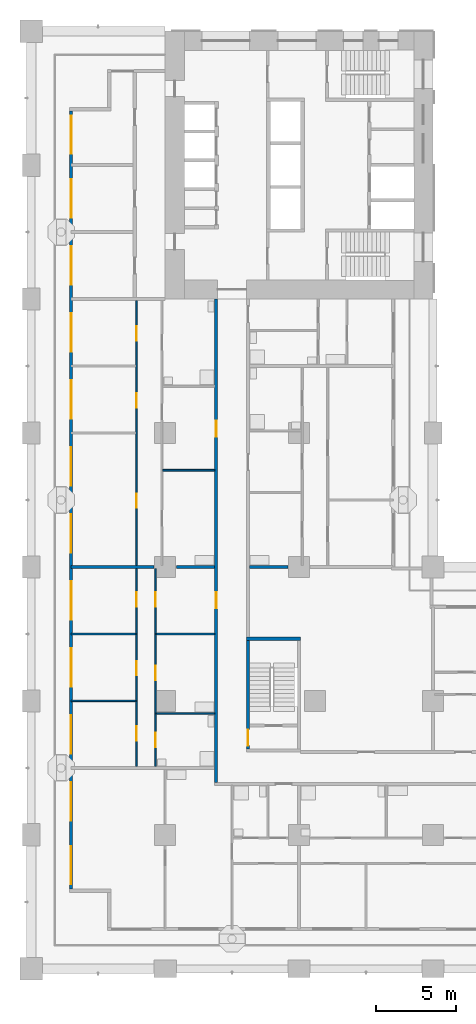
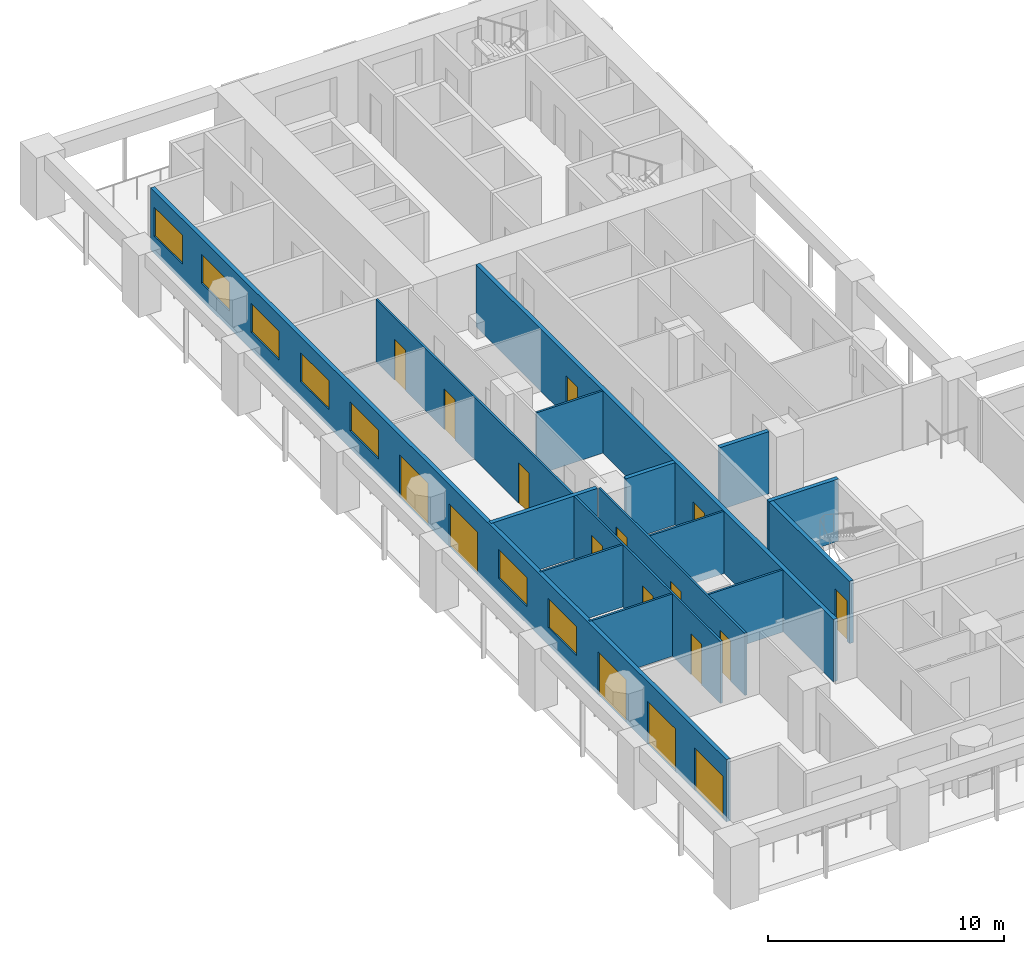
# One storey, part 3 of 20: 17 doors, 14 walls, 7 windows, 24 openings.
"""IFC4 building model written with IfcOpenShell, lengths in metres."""

from ifc_helpers import new_model, si_unit, direction, frame, frame_2d, origin, place, context, subcontext, project, spatial, rectangle, extrude, material, layer, layer_set, type_object, element, fill, save


model = new_model("IFC4")

# Units and contexts
model_context = context("Model", 3, precision=1e-05, world=origin(), true_north=direction((0.0, 1.0)))
body_context = subcontext(model_context, "Body", "Model", "MODEL_VIEW")
ifc_project = project(units=[si_unit("LENGTHUNIT", "METRE"), si_unit("AREAUNIT", "SQUARE_METRE"), si_unit("VOLUMEUNIT", "CUBIC_METRE"), si_unit("PLANEANGLEUNIT", "RADIAN"), si_unit("MASSUNIT", "GRAM", prefix="KILO")], contexts=[model_context])

# Site, building, storey
site_placement = place(None, origin())
site = spatial("IfcSite", under=ifc_project, at=site_placement, CompositionType="ELEMENT")
building_placement = place(site_placement, origin())
building = spatial("IfcBuilding", under=site, at=building_placement, Name="Vermilion Gate Residences", CompositionType="ELEMENT")
storey_placement = place(building_placement, frame((0.0, 0.0, 42.699951171875)))
storey = spatial("IfcBuildingStorey", under=building, at=storey_placement, Name="L09", CompositionType="ELEMENT", Elevation=42.699951171875)

# Wall, openings, doors, windows
ifc_material_1 = material(Name="Insulated steel stud wall with terracotta rainscreen", Category="masonry")
ifc_layer_1 = layer(ifc_material_1, 0.199951171875)
ifc_layer_set_1 = layer_set([ifc_layer_1], Name="EXTERNAL WALL 200 TERRACOTTA RAINSCREEN")
wall_type_1 = type_object("IfcWallType", Name="EXTERNAL WALL 200 TERRACOTTA RAINSCREEN", PredefinedType="SOLIDWALL", material=ifc_layer_set_1)
wall_1_placement = place(storey_placement, frame((2.5, 53.800048828125, 0.0), z_axis=(0.0, 0.0, 1.0), x_axis=(0.0, -1.0, 0.0)))
wall_1 = element("IfcWall", 1, at=wall_1_placement, inside=storey, type_object=wall_type_1, Name="External wall", PredefinedType="SOLIDWALL", context=body_context, shape_type="SweptSolid", body=[
    extrude(rectangle(XDim=48.800048828125, YDim=0.199951171875, at=frame_2d((24.39990234375, 0.0))), origin(), (0.0, 0.0, 1.0), 3.219970703125),
])
opening_1_placement = place(wall_1_placement, frame((46.10009765625, 0.0, 0.0)))
opening_1 = element("IfcOpeningElement", 2, at=opening_1_placement, cuts=wall_1, Name="Opening DE09002", PredefinedType="OPENING", context=body_context, shape_type="SweptSolid", body=[
    extrude(rectangle(XDim=2.39990234375, YDim=2.199951171875, at=frame_2d((1.199951171875, 1.10009765625))), frame((0.0, 0.10986328125, 0.0), z_axis=(0.0, -1.0, 0.0), x_axis=(1.0, 0.0, 0.0)), (0.0, 0.0, 1.0), 0.219970703125),
])
opening_2_placement = place(wall_1_placement, frame((42.10009765625, 0.0, 0.0)))
opening_2 = element("IfcOpeningElement", 3, at=opening_2_placement, cuts=wall_1, Name="Opening DE09003", PredefinedType="OPENING", context=body_context, shape_type="SweptSolid", body=[
    extrude(rectangle(XDim=2.39990234375, YDim=2.199951171875, at=frame_2d((1.199951171875, 1.10009765625))), frame((0.0, 0.10986328125, 0.0), z_axis=(0.0, -1.0, 0.0), x_axis=(1.0, 0.0, 0.0)), (0.0, 0.0, 1.0), 0.219970703125),
])
opening_3_placement = place(wall_1_placement, frame((37.89990234375, 0.0, 0.0)))
opening_3 = element("IfcOpeningElement", 4, at=opening_3_placement, cuts=wall_1, Name="Opening DE09004", PredefinedType="OPENING", context=body_context, shape_type="SweptSolid", body=[
    extrude(rectangle(XDim=2.39990234375, YDim=2.199951171875, at=frame_2d((1.199951171875, 1.10009765625))), frame((0.0, 0.10986328125, 0.0), z_axis=(0.0, -1.0, 0.0), x_axis=(1.0, 0.0, 0.0)), (0.0, 0.0, 1.0), 0.219970703125),
])
opening_4_placement = place(wall_1_placement, frame((33.699951171875, 0.0, 0.89990234375)))
opening_4 = element("IfcOpeningElement", 5, at=opening_4_placement, cuts=wall_1, Name="Opening WE09005", PredefinedType="OPENING", context=body_context, shape_type="SweptSolid", body=[
    extrude(rectangle(XDim=2.39990234375, YDim=1.5, at=frame_2d((1.199951171875, 0.75))), frame((0.0, 0.10986328125, 0.0), z_axis=(0.0, -1.0, 0.0), x_axis=(1.0, 0.0, 0.0)), (0.0, 0.0, 1.0), 0.219970703125),
])
opening_5_placement = place(wall_1_placement, frame((29.5, 0.0, 0.89990234375)))
opening_5 = element("IfcOpeningElement", 6, at=opening_5_placement, cuts=wall_1, Name="Opening WE09006", PredefinedType="OPENING", context=body_context, shape_type="SweptSolid", body=[
    extrude(rectangle(XDim=2.39990234375, YDim=1.5, at=frame_2d((1.199951171875, 0.75))), frame((0.0, 0.10986328125, 0.0), z_axis=(0.0, -1.0, 0.0), x_axis=(1.0, 0.0, 0.0)), (0.0, 0.0, 1.0), 0.219970703125),
])
opening_6_placement = place(wall_1_placement, frame((25.300048828125, 0.0, 0.0)))
opening_6 = element("IfcOpeningElement", 7, at=opening_6_placement, cuts=wall_1, Name="Opening DE09007", PredefinedType="OPENING", context=body_context, shape_type="SweptSolid", body=[
    extrude(rectangle(XDim=2.39990234375, YDim=2.199951171875, at=frame_2d((1.199951171875, 1.10009765625))), frame((0.0, 0.10986328125, 0.0), z_axis=(0.0, -1.0, 0.0), x_axis=(1.0, 0.0, 0.0)), (0.0, 0.0, 1.0), 0.219970703125),
])
opening_7_placement = place(wall_1_placement, frame((21.10009765625, 0.0, 0.0)))
opening_7 = element("IfcOpeningElement", 8, at=opening_7_placement, cuts=wall_1, Name="Opening DE09008", PredefinedType="OPENING", context=body_context, shape_type="SweptSolid", body=[
    extrude(rectangle(XDim=2.39990234375, YDim=2.199951171875, at=frame_2d((1.199951171875, 1.10009765625))), frame((0.0, 0.10986328125, 0.0), z_axis=(0.0, -1.0, 0.0), x_axis=(1.0, 0.0, 0.0)), (0.0, 0.0, 1.0), 0.219970703125),
])
opening_8_placement = place(wall_1_placement, frame((16.89990234375, 0.0, 0.89990234375)))
opening_8 = element("IfcOpeningElement", 9, at=opening_8_placement, cuts=wall_1, Name="Opening WE09009", PredefinedType="OPENING", context=body_context, shape_type="SweptSolid", body=[
    extrude(rectangle(XDim=2.39990234375, YDim=1.5, at=frame_2d((1.199951171875, 0.75))), frame((0.0, 0.10986328125, 0.0), z_axis=(0.0, -1.0, 0.0), x_axis=(1.0, 0.0, 0.0)), (0.0, 0.0, 1.0), 0.219970703125),
])
opening_9_placement = place(wall_1_placement, frame((12.699951171875, 0.0, 0.89990234375)))
opening_9 = element("IfcOpeningElement", 10, at=opening_9_placement, cuts=wall_1, Name="Opening WE09010", PredefinedType="OPENING", context=body_context, shape_type="SweptSolid", body=[
    extrude(rectangle(XDim=2.39990234375, YDim=1.5, at=frame_2d((1.199951171875, 0.75))), frame((0.0, 0.10986328125, 0.0), z_axis=(0.0, -1.0, 0.0), x_axis=(1.0, 0.0, 0.0)), (0.0, 0.0, 1.0), 0.219970703125),
])
opening_10_placement = place(wall_1_placement, frame((8.5, 0.0, 0.89990234375)))
opening_10 = element("IfcOpeningElement", 11, at=opening_10_placement, cuts=wall_1, Name="Opening WE09011", PredefinedType="OPENING", context=body_context, shape_type="SweptSolid", body=[
    extrude(rectangle(XDim=2.39990234375, YDim=1.5, at=frame_2d((1.199951171875, 0.75))), frame((0.0, 0.10986328125, 0.0), z_axis=(0.0, -1.0, 0.0), x_axis=(1.0, 0.0, 0.0)), (0.0, 0.0, 1.0), 0.219970703125),
])
opening_11_placement = place(wall_1_placement, frame((4.300048828125, 0.0, 0.89990234375)))
opening_11 = element("IfcOpeningElement", 12, at=opening_11_placement, cuts=wall_1, Name="Opening WE09012", PredefinedType="OPENING", context=body_context, shape_type="SweptSolid", body=[
    extrude(rectangle(XDim=2.39990234375, YDim=1.5, at=frame_2d((1.199951171875, 0.75))), frame((0.0, 0.10986328125, 0.0), z_axis=(0.0, -1.0, 0.0), x_axis=(1.0, 0.0, 0.0)), (0.0, 0.0, 1.0), 0.219970703125),
])
opening_12_placement = place(wall_1_placement, frame((0.300048828125, 0.0, 0.89990234375)))
opening_12 = element("IfcOpeningElement", 13, at=opening_12_placement, cuts=wall_1, Name="Opening WE09013", PredefinedType="OPENING", context=body_context, shape_type="SweptSolid", body=[
    extrude(rectangle(XDim=2.39990234375, YDim=1.5, at=frame_2d((1.199951171875, 0.75))), frame((0.0, 0.10986328125, 0.0), z_axis=(0.0, -1.0, 0.0), x_axis=(1.0, 0.0, 0.0)), (0.0, 0.0, 1.0), 0.219970703125),
])
ifc_material_2 = material(Name="Aluminium and clear glass", Category="aluminium")
door_type_1 = type_object("IfcDoorType", Name="SLIDING GLAZED DOOR 2400 X 2200", OperationType="DOUBLE_DOOR_SLIDING", PredefinedType="DOOR", material=ifc_material_2)
door_1_placement = place(opening_1_placement, origin())
door_1 = element("IfcDoor", 14, at=door_1_placement, inside=storey, type_object=door_type_1, Name="Loggia sliding door", OperationType="DOUBLE_DOOR_SLIDING", OverallHeight=2.199951171875, OverallWidth=2.39990234375, PredefinedType="DOOR", context=body_context, shape_type="SweptSolid", body=[
    extrude(rectangle(XDim=2.39990234375, YDim=2.199951171875, at=frame_2d((1.199951171875, 1.10009765625))), frame((0.0, 0.02490234375, 0.0), z_axis=(0.0, -1.0, 0.0), x_axis=(1.0, 0.0, 0.0)), (0.0, 0.0, 1.0), 0.050048828125),
])
fill(opening_1, door_1)
door_2_placement = place(opening_2_placement, origin())
door_2 = element("IfcDoor", 15, at=door_2_placement, inside=storey, type_object=door_type_1, Name="Loggia sliding door", OperationType="DOUBLE_DOOR_SLIDING", OverallHeight=2.199951171875, OverallWidth=2.39990234375, PredefinedType="DOOR", context=body_context, shape_type="SweptSolid", body=[
    extrude(rectangle(XDim=2.39990234375, YDim=2.199951171875, at=frame_2d((1.199951171875, 1.10009765625))), frame((0.0, 0.02490234375, 0.0), z_axis=(0.0, -1.0, 0.0), x_axis=(1.0, 0.0, 0.0)), (0.0, 0.0, 1.0), 0.050048828125),
])
fill(opening_2, door_2)
door_3_placement = place(opening_3_placement, origin())
door_3 = element("IfcDoor", 16, at=door_3_placement, inside=storey, type_object=door_type_1, Name="Loggia sliding door", OperationType="DOUBLE_DOOR_SLIDING", OverallHeight=2.199951171875, OverallWidth=2.39990234375, PredefinedType="DOOR", context=body_context, shape_type="SweptSolid", body=[
    extrude(rectangle(XDim=2.39990234375, YDim=2.199951171875, at=frame_2d((1.199951171875, 1.10009765625))), frame((0.0, 0.02490234375, 0.0), z_axis=(0.0, -1.0, 0.0), x_axis=(1.0, 0.0, 0.0)), (0.0, 0.0, 1.0), 0.050048828125),
])
fill(opening_3, door_3)
door_4_placement = place(opening_6_placement, origin())
door_4 = element("IfcDoor", 17, at=door_4_placement, inside=storey, type_object=door_type_1, Name="Loggia sliding door", OperationType="DOUBLE_DOOR_SLIDING", OverallHeight=2.199951171875, OverallWidth=2.39990234375, PredefinedType="DOOR", context=body_context, shape_type="SweptSolid", body=[
    extrude(rectangle(XDim=2.39990234375, YDim=2.199951171875, at=frame_2d((1.199951171875, 1.10009765625))), frame((0.0, 0.02490234375, 0.0), z_axis=(0.0, -1.0, 0.0), x_axis=(1.0, 0.0, 0.0)), (0.0, 0.0, 1.0), 0.050048828125),
])
fill(opening_6, door_4)
door_5_placement = place(opening_7_placement, origin())
door_5 = element("IfcDoor", 18, at=door_5_placement, inside=storey, type_object=door_type_1, Name="Loggia sliding door", OperationType="DOUBLE_DOOR_SLIDING", OverallHeight=2.199951171875, OverallWidth=2.39990234375, PredefinedType="DOOR", context=body_context, shape_type="SweptSolid", body=[
    extrude(rectangle(XDim=2.39990234375, YDim=2.199951171875, at=frame_2d((1.199951171875, 1.10009765625))), frame((0.0, 0.02490234375, 0.0), z_axis=(0.0, -1.0, 0.0), x_axis=(1.0, 0.0, 0.0)), (0.0, 0.0, 1.0), 0.050048828125),
])
fill(opening_7, door_5)
ifc_material_3 = material(Name="Aluminium and clear glass", Category="aluminium")
window_type = type_object("IfcWindowType", Name="WINDOW 2400 X 1500", PartitioningType="SINGLE_PANEL", PredefinedType="WINDOW", material=ifc_material_3)
window_1_placement = place(opening_4_placement, origin())
window_1 = element("IfcWindow", 19, at=window_1_placement, inside=storey, type_object=window_type, Name="Window", OverallHeight=1.5, OverallWidth=2.39990234375, PartitioningType="SINGLE_PANEL", PredefinedType="WINDOW", context=body_context, shape_type="SweptSolid", body=[
    extrude(rectangle(XDim=2.39990234375, YDim=1.5, at=frame_2d((1.199951171875, 0.75))), frame((0.0, 0.030029296875, 0.0), z_axis=(0.0, -1.0, 0.0), x_axis=(1.0, 0.0, 0.0)), (0.0, 0.0, 1.0), 0.06005859375),
])
fill(opening_4, window_1)
window_2_placement = place(opening_5_placement, origin())
window_2 = element("IfcWindow", 20, at=window_2_placement, inside=storey, type_object=window_type, Name="Window", OverallHeight=1.5, OverallWidth=2.39990234375, PartitioningType="SINGLE_PANEL", PredefinedType="WINDOW", context=body_context, shape_type="SweptSolid", body=[
    extrude(rectangle(XDim=2.39990234375, YDim=1.5, at=frame_2d((1.199951171875, 0.75))), frame((0.0, 0.030029296875, 0.0), z_axis=(0.0, -1.0, 0.0), x_axis=(1.0, 0.0, 0.0)), (0.0, 0.0, 1.0), 0.06005859375),
])
fill(opening_5, window_2)
window_3_placement = place(opening_8_placement, origin())
window_3 = element("IfcWindow", 21, at=window_3_placement, inside=storey, type_object=window_type, Name="Window", OverallHeight=1.5, OverallWidth=2.39990234375, PartitioningType="SINGLE_PANEL", PredefinedType="WINDOW", context=body_context, shape_type="SweptSolid", body=[
    extrude(rectangle(XDim=2.39990234375, YDim=1.5, at=frame_2d((1.199951171875, 0.75))), frame((0.0, 0.030029296875, 0.0), z_axis=(0.0, -1.0, 0.0), x_axis=(1.0, 0.0, 0.0)), (0.0, 0.0, 1.0), 0.06005859375),
])
fill(opening_8, window_3)
window_4_placement = place(opening_9_placement, origin())
window_4 = element("IfcWindow", 22, at=window_4_placement, inside=storey, type_object=window_type, Name="Window", OverallHeight=1.5, OverallWidth=2.39990234375, PartitioningType="SINGLE_PANEL", PredefinedType="WINDOW", context=body_context, shape_type="SweptSolid", body=[
    extrude(rectangle(XDim=2.39990234375, YDim=1.5, at=frame_2d((1.199951171875, 0.75))), frame((0.0, 0.030029296875, 0.0), z_axis=(0.0, -1.0, 0.0), x_axis=(1.0, 0.0, 0.0)), (0.0, 0.0, 1.0), 0.06005859375),
])
fill(opening_9, window_4)
window_5_placement = place(opening_10_placement, origin())
window_5 = element("IfcWindow", 23, at=window_5_placement, inside=storey, type_object=window_type, Name="Window", OverallHeight=1.5, OverallWidth=2.39990234375, PartitioningType="SINGLE_PANEL", PredefinedType="WINDOW", context=body_context, shape_type="SweptSolid", body=[
    extrude(rectangle(XDim=2.39990234375, YDim=1.5, at=frame_2d((1.199951171875, 0.75))), frame((0.0, 0.030029296875, 0.0), z_axis=(0.0, -1.0, 0.0), x_axis=(1.0, 0.0, 0.0)), (0.0, 0.0, 1.0), 0.06005859375),
])
fill(opening_10, window_5)
window_6_placement = place(opening_11_placement, origin())
window_6 = element("IfcWindow", 24, at=window_6_placement, inside=storey, type_object=window_type, Name="Window", OverallHeight=1.5, OverallWidth=2.39990234375, PartitioningType="SINGLE_PANEL", PredefinedType="WINDOW", context=body_context, shape_type="SweptSolid", body=[
    extrude(rectangle(XDim=2.39990234375, YDim=1.5, at=frame_2d((1.199951171875, 0.75))), frame((0.0, 0.030029296875, 0.0), z_axis=(0.0, -1.0, 0.0), x_axis=(1.0, 0.0, 0.0)), (0.0, 0.0, 1.0), 0.06005859375),
])
fill(opening_11, window_6)
window_7_placement = place(opening_12_placement, origin())
window_7 = element("IfcWindow", 25, at=window_7_placement, inside=storey, type_object=window_type, Name="Window", OverallHeight=1.5, OverallWidth=2.39990234375, PartitioningType="SINGLE_PANEL", PredefinedType="WINDOW", context=body_context, shape_type="SweptSolid", body=[
    extrude(rectangle(XDim=2.39990234375, YDim=1.5, at=frame_2d((1.199951171875, 0.75))), frame((0.0, 0.030029296875, 0.0), z_axis=(0.0, -1.0, 0.0), x_axis=(1.0, 0.0, 0.0)), (0.0, 0.0, 1.0), 0.06005859375),
])
fill(opening_12, window_7)

# Walls
ifc_material_4 = material(Name="Plasterboard on steel studs", Category="steel")
ifc_layer_2 = layer(ifc_material_4, 0.10009765625)
ifc_layer_set_2 = layer_set([ifc_layer_2], Name="PARTITION 100")
wall_type_2 = type_object("IfcWallType", Name="PARTITION 100", PredefinedType="PARTITIONING", material=ifc_layer_set_2)
wall_2_placement = place(storey_placement, frame((7.85009765625, 16.0, 0.0), z_axis=(0.0, 0.0, 1.0), x_axis=(1.0, 0.0, 0.0)))
element("IfcWall", 26, at=wall_2_placement, inside=storey, type_object=wall_type_2, Name="Partition", PredefinedType="PARTITIONING", context=body_context, shape_type="SweptSolid", body=[
    extrude(rectangle(XDim=3.64990234375, YDim=0.10009765625, at=frame_2d((1.824951171875, 0.0))), origin(), (0.0, 0.0, 1.0), 3.219970703125),
])
for number, where, z_axis, x_axis, name in (
    (27, (2.5, 16.800048828125, 0.0), (0.0, 0.0, 1.0), (1.0, 0.0, 0.0), "Partition"),
    (28, (2.5, 21.0, 0.0), (0.0, 0.0, 1.0), (1.0, 0.0, 0.0), "Partition"),
):
    element("IfcWall", number, at=place(storey_placement, frame(where, z_axis=z_axis, x_axis=x_axis)), inside=storey, type_object=wall_type_2, Name=name, PredefinedType="PARTITIONING", context=body_context, shape_type="SweptSolid", body=[
        extrude(rectangle(XDim=4.050048828125, YDim=0.10009765625, at=frame_2d((2.02490234375, 0.0))), origin(), (0.0, 0.0, 1.0), 3.219970703125),
    ])
wall_3_placement = place(storey_placement, frame((7.85009765625, 21.0, 0.0), z_axis=(0.0, 0.0, 1.0), x_axis=(1.0, 0.0, 0.0)))
element("IfcWall", 29, at=wall_3_placement, inside=storey, type_object=wall_type_2, Name="Partition", PredefinedType="PARTITIONING", context=body_context, shape_type="SweptSolid", body=[
    extrude(rectangle(XDim=3.64990234375, YDim=0.10009765625, at=frame_2d((1.824951171875, 0.0))), origin(), (0.0, 0.0, 1.0), 3.219970703125),
])
wall_4_placement = place(storey_placement, frame((8.25, 31.26708984375, 0.0), z_axis=(0.0, 0.0, 1.0), x_axis=(1.0, 0.0, 0.0)))
element("IfcWall", 30, at=wall_4_placement, inside=storey, type_object=wall_type_2, Name="Partition", PredefinedType="PARTITIONING", context=body_context, shape_type="SweptSolid", body=[
    extrude(rectangle(XDim=3.25, YDim=0.10009765625, at=frame_2d((1.625, 0.0))), origin(), (0.0, 0.0, 1.0), 3.219970703125),
])

# Wall, openings, doors
wall_5_placement = place(storey_placement, frame((6.60009765625, 12.699951171875, 0.0), z_axis=(0.0, 0.0, 1.0), x_axis=(0.0, 1.0, 0.0)))
wall_5 = element("IfcWall", 31, at=wall_5_placement, inside=storey, type_object=wall_type_2, Name="Partition", PredefinedType="PARTITIONING", context=body_context, shape_type="SweptSolid", body=[
    extrude(rectangle(XDim=29.199951171875, YDim=0.10009765625, at=frame_2d((14.60009765625, 0.0))), origin(), (0.0, 0.0, 1.0), 3.219970703125),
])
opening_13_placement = place(wall_5_placement, frame((1.60009765625, 0.0, 0.0)))
opening_13 = element("IfcOpeningElement", 32, at=opening_13_placement, cuts=wall_5, Name="Opening DA07039", PredefinedType="OPENING", context=body_context, shape_type="SweptSolid", body=[
    extrude(rectangle(XDim=0.89990234375, YDim=2.10009765625, at=frame_2d((0.449951171875, 1.050048828125))), frame((0.0, 0.06005859375, 0.0), z_axis=(0.0, -1.0, 0.0), x_axis=(1.0, 0.0, 0.0)), (0.0, 0.0, 1.0), 0.1201171875),
])
opening_14_placement = place(wall_5_placement, frame((5.699951171875, 0.0, 0.0)))
opening_14 = element("IfcOpeningElement", 33, at=opening_14_placement, cuts=wall_5, Name="Opening DA07040", PredefinedType="OPENING", context=body_context, shape_type="SweptSolid", body=[
    extrude(rectangle(XDim=0.89990234375, YDim=2.10009765625, at=frame_2d((0.449951171875, 1.050048828125))), frame((0.0, 0.06005859375, 0.0), z_axis=(0.0, -1.0, 0.0), x_axis=(1.0, 0.0, 0.0)), (0.0, 0.0, 1.0), 0.1201171875),
])
opening_15_placement = place(wall_5_placement, frame((10.0, 0.0, 0.0)))
opening_15 = element("IfcOpeningElement", 34, at=opening_15_placement, cuts=wall_5, Name="Opening DA07041", PredefinedType="OPENING", context=body_context, shape_type="SweptSolid", body=[
    extrude(rectangle(XDim=0.89990234375, YDim=2.10009765625, at=frame_2d((0.449951171875, 1.050048828125))), frame((0.0, 0.06005859375, 0.0), z_axis=(0.0, -1.0, 0.0), x_axis=(1.0, 0.0, 0.0)), (0.0, 0.0, 1.0), 0.1201171875),
])
opening_16_placement = place(wall_5_placement, frame((16.199951171875, 0.0, 0.0)))
opening_16 = element("IfcOpeningElement", 35, at=opening_16_placement, cuts=wall_5, Name="Opening DA07042", PredefinedType="OPENING", context=body_context, shape_type="SweptSolid", body=[
    extrude(rectangle(XDim=0.89990234375, YDim=2.10009765625, at=frame_2d((0.449951171875, 1.050048828125))), frame((0.0, 0.06005859375, 0.0), z_axis=(0.0, -1.0, 0.0), x_axis=(1.0, 0.0, 0.0)), (0.0, 0.0, 1.0), 0.1201171875),
])
opening_17_placement = place(wall_5_placement, frame((22.5, 0.0, 0.0)))
opening_17 = element("IfcOpeningElement", 36, at=opening_17_placement, cuts=wall_5, Name="Opening DA07043", PredefinedType="OPENING", context=body_context, shape_type="SweptSolid", body=[
    extrude(rectangle(XDim=0.89990234375, YDim=2.10009765625, at=frame_2d((0.449951171875, 1.050048828125))), frame((0.0, 0.06005859375, 0.0), z_axis=(0.0, -1.0, 0.0), x_axis=(1.0, 0.0, 0.0)), (0.0, 0.0, 1.0), 0.1201171875),
])
opening_18_placement = place(wall_5_placement, frame((26.699951171875, 0.0, 0.0)))
opening_18 = element("IfcOpeningElement", 37, at=opening_18_placement, cuts=wall_5, Name="Opening DA07044", PredefinedType="OPENING", context=body_context, shape_type="SweptSolid", body=[
    extrude(rectangle(XDim=0.89990234375, YDim=2.10009765625, at=frame_2d((0.449951171875, 1.050048828125))), frame((0.0, 0.06005859375, 0.0), z_axis=(0.0, -1.0, 0.0), x_axis=(1.0, 0.0, 0.0)), (0.0, 0.0, 1.0), 0.1201171875),
])
ifc_material_5 = material(Name="Timber", Category="wood")
door_type_2 = type_object("IfcDoorType", Name="INTERIOR DOOR 900 X 2100", OperationType="SINGLE_SWING_LEFT", PredefinedType="DOOR", material=ifc_material_5)
door_6_placement = place(opening_13_placement, origin())
door_6 = element("IfcDoor", 38, at=door_6_placement, inside=storey, type_object=door_type_2, Name="Interior door", OperationType="SINGLE_SWING_RIGHT", OverallHeight=2.10009765625, OverallWidth=0.89990234375, PredefinedType="DOOR", context=body_context, shape_type="SweptSolid", body=[
    extrude(rectangle(XDim=0.89990234375, YDim=2.10009765625, at=frame_2d((0.449951171875, 1.050048828125))), frame((0.0, 0.02490234375, 0.0), z_axis=(0.0, -1.0, 0.0), x_axis=(1.0, 0.0, 0.0)), (0.0, 0.0, 1.0), 0.050048828125),
])
fill(opening_13, door_6)
door_7_placement = place(opening_14_placement, origin())
door_7 = element("IfcDoor", 39, at=door_7_placement, inside=storey, type_object=door_type_2, Name="Interior door", OperationType="SINGLE_SWING_LEFT", OverallHeight=2.10009765625, OverallWidth=0.89990234375, PredefinedType="DOOR", context=body_context, shape_type="SweptSolid", body=[
    extrude(rectangle(XDim=0.89990234375, YDim=2.10009765625, at=frame_2d((0.449951171875, 1.050048828125))), frame((0.0, 0.02490234375, 0.0), z_axis=(0.0, -1.0, 0.0), x_axis=(1.0, 0.0, 0.0)), (0.0, 0.0, 1.0), 0.050048828125),
])
fill(opening_14, door_7)
door_8_placement = place(opening_15_placement, origin())
door_8 = element("IfcDoor", 40, at=door_8_placement, inside=storey, type_object=door_type_2, Name="Interior door", OperationType="SINGLE_SWING_RIGHT", OverallHeight=2.10009765625, OverallWidth=0.89990234375, PredefinedType="DOOR", context=body_context, shape_type="SweptSolid", body=[
    extrude(rectangle(XDim=0.89990234375, YDim=2.10009765625, at=frame_2d((0.449951171875, 1.050048828125))), frame((0.0, 0.02490234375, 0.0), z_axis=(0.0, -1.0, 0.0), x_axis=(1.0, 0.0, 0.0)), (0.0, 0.0, 1.0), 0.050048828125),
])
fill(opening_15, door_8)
door_9_placement = place(opening_16_placement, origin())
door_9 = element("IfcDoor", 41, at=door_9_placement, inside=storey, type_object=door_type_2, Name="Interior door", OperationType="SINGLE_SWING_LEFT", OverallHeight=2.10009765625, OverallWidth=0.89990234375, PredefinedType="DOOR", context=body_context, shape_type="SweptSolid", body=[
    extrude(rectangle(XDim=0.89990234375, YDim=2.10009765625, at=frame_2d((0.449951171875, 1.050048828125))), frame((0.0, 0.02490234375, 0.0), z_axis=(0.0, -1.0, 0.0), x_axis=(1.0, 0.0, 0.0)), (0.0, 0.0, 1.0), 0.050048828125),
])
fill(opening_16, door_9)
door_10_placement = place(opening_17_placement, origin())
door_10 = element("IfcDoor", 42, at=door_10_placement, inside=storey, type_object=door_type_2, Name="Interior door", OperationType="SINGLE_SWING_LEFT", OverallHeight=2.10009765625, OverallWidth=0.89990234375, PredefinedType="DOOR", context=body_context, shape_type="SweptSolid", body=[
    extrude(rectangle(XDim=0.89990234375, YDim=2.10009765625, at=frame_2d((0.449951171875, 1.050048828125))), frame((0.0, 0.02490234375, 0.0), z_axis=(0.0, -1.0, 0.0), x_axis=(1.0, 0.0, 0.0)), (0.0, 0.0, 1.0), 0.050048828125),
])
fill(opening_17, door_10)
door_11_placement = place(opening_18_placement, origin())
door_11 = element("IfcDoor", 43, at=door_11_placement, inside=storey, type_object=door_type_2, Name="Interior door", OperationType="SINGLE_SWING_LEFT", OverallHeight=2.10009765625, OverallWidth=0.89990234375, PredefinedType="DOOR", context=body_context, shape_type="SweptSolid", body=[
    extrude(rectangle(XDim=0.89990234375, YDim=2.10009765625, at=frame_2d((0.449951171875, 1.050048828125))), frame((0.0, 0.02490234375, 0.0), z_axis=(0.0, -1.0, 0.0), x_axis=(1.0, 0.0, 0.0)), (0.0, 0.0, 1.0), 0.050048828125),
])
fill(opening_18, door_11)

wall_6_placement = place(storey_placement, frame((7.800048828125, 12.699951171875, 0.0), z_axis=(0.0, 0.0, 1.0), x_axis=(0.0, 1.0, 0.0)))
wall_6 = element("IfcWall", 44, at=wall_6_placement, inside=storey, type_object=wall_type_2, Name="Partition", PredefinedType="PARTITIONING", context=body_context, shape_type="SweptSolid", body=[
    extrude(rectangle(XDim=12.400146484375, YDim=0.10009765625, at=frame_2d((6.2001953125, 0.0))), origin(), (0.0, 0.0, 1.0), 3.219970703125),
])
opening_19_placement = place(wall_6_placement, frame((10.0, 0.0, 0.0)))
opening_19 = element("IfcOpeningElement", 45, at=opening_19_placement, cuts=wall_6, Name="Opening DA07045", PredefinedType="OPENING", context=body_context, shape_type="SweptSolid", body=[
    extrude(rectangle(XDim=0.89990234375, YDim=2.10009765625, at=frame_2d((0.449951171875, 1.050048828125))), frame((0.0, 0.06005859375, 0.0), z_axis=(0.0, -1.0, 0.0), x_axis=(1.0, 0.0, 0.0)), (0.0, 0.0, 1.0), 0.1201171875),
])
opening_20_placement = place(wall_6_placement, frame((1.199951171875, 0.0, 0.0)))
opening_20 = element("IfcOpeningElement", 46, at=opening_20_placement, cuts=wall_6, Name="Opening DA07046", PredefinedType="OPENING", context=body_context, shape_type="SweptSolid", body=[
    extrude(rectangle(XDim=0.89990234375, YDim=2.10009765625, at=frame_2d((0.449951171875, 1.050048828125))), frame((0.0, 0.06005859375, 0.0), z_axis=(0.0, -1.0, 0.0), x_axis=(1.0, 0.0, 0.0)), (0.0, 0.0, 1.0), 0.1201171875),
])
opening_21_placement = place(wall_6_placement, frame((5.39990234375, 0.0, 0.0)))
opening_21 = element("IfcOpeningElement", 47, at=opening_21_placement, cuts=wall_6, Name="Opening DA07047", PredefinedType="OPENING", context=body_context, shape_type="SweptSolid", body=[
    extrude(rectangle(XDim=0.89990234375, YDim=2.10009765625, at=frame_2d((0.449951171875, 1.050048828125))), frame((0.0, 0.06005859375, 0.0), z_axis=(0.0, -1.0, 0.0), x_axis=(1.0, 0.0, 0.0)), (0.0, 0.0, 1.0), 0.1201171875),
])
door_12_placement = place(opening_19_placement, origin())
door_12 = element("IfcDoor", 48, at=door_12_placement, inside=storey, type_object=door_type_2, Name="Interior door", OperationType="SINGLE_SWING_RIGHT", OverallHeight=2.10009765625, OverallWidth=0.89990234375, PredefinedType="DOOR", context=body_context, shape_type="SweptSolid", body=[
    extrude(rectangle(XDim=0.89990234375, YDim=2.10009765625, at=frame_2d((0.449951171875, 1.050048828125))), frame((0.0, 0.02490234375, 0.0), z_axis=(0.0, -1.0, 0.0), x_axis=(1.0, 0.0, 0.0)), (0.0, 0.0, 1.0), 0.050048828125),
])
fill(opening_19, door_12)
door_13_placement = place(opening_20_placement, frame((0.89990234375, 0.0, 0.0), z_axis=(0.0, 0.0, 1.0), x_axis=(-1.0, 0.0, 0.0)))
door_13 = element("IfcDoor", 49, at=door_13_placement, inside=storey, type_object=door_type_2, Name="Interior door", OperationType="SINGLE_SWING_RIGHT", OverallHeight=2.10009765625, OverallWidth=0.89990234375, PredefinedType="DOOR", context=body_context, shape_type="SweptSolid", body=[
    extrude(rectangle(XDim=0.89990234375, YDim=2.10009765625, at=frame_2d((0.449951171875, 1.050048828125))), frame((0.0, 0.02490234375, 0.0), z_axis=(0.0, -1.0, 0.0), x_axis=(1.0, 0.0, 0.0)), (0.0, 0.0, 1.0), 0.050048828125),
])
fill(opening_20, door_13)
door_14_placement = place(opening_21_placement, frame((0.89990234375, 0.0, 0.0), z_axis=(0.0, 0.0, 1.0), x_axis=(-1.0, 0.0, 0.0)))
door_14 = element("IfcDoor", 50, at=door_14_placement, inside=storey, type_object=door_type_2, Name="Interior door", OperationType="SINGLE_SWING_RIGHT", OverallHeight=2.10009765625, OverallWidth=0.89990234375, PredefinedType="DOOR", context=body_context, shape_type="SweptSolid", body=[
    extrude(rectangle(XDim=0.89990234375, YDim=2.10009765625, at=frame_2d((0.449951171875, 1.050048828125))), frame((0.0, 0.02490234375, 0.0), z_axis=(0.0, -1.0, 0.0), x_axis=(1.0, 0.0, 0.0)), (0.0, 0.0, 1.0), 0.050048828125),
])
fill(opening_21, door_14)

# Walls
ifc_material_6 = material(Name="Fire-rated plasterboard on steel studs", Category="steel")
ifc_layer_3 = layer(ifc_material_6, 0.199951171875)
ifc_layer_set_3 = layer_set([ifc_layer_3], Name="PARTY WALL 200 EI 120")
wall_type_3 = type_object("IfcWallType", Name="PARTY WALL 200 EI 120", PredefinedType="PARTITIONING", material=ifc_layer_set_3)
wall_7_placement = place(storey_placement, frame((2.5, 25.199951171875, 0.0), z_axis=(0.0, 0.0, 1.0), x_axis=(1.0, 0.0, 0.0)))
element("IfcWall", 51, at=wall_7_placement, inside=storey, type_object=wall_type_3, Name="Party and corridor wall", PredefinedType="PARTITIONING", context=body_context, shape_type="SweptSolid", body=[
    extrude(rectangle(XDim=5.199951171875, YDim=0.199951171875, at=frame_2d((2.60009765625, 0.0))), origin(), (0.0, 0.0, 1.0), 3.219970703125),
])
wall_8_placement = place(storey_placement, frame((9.10009765625, 25.199951171875, 0.0), z_axis=(0.0, 0.0, 1.0), x_axis=(1.0, 0.0, 0.0)))
element("IfcWall", 52, at=wall_8_placement, inside=storey, type_object=wall_type_3, Name="Party and corridor wall", PredefinedType="PARTITIONING", context=body_context, shape_type="SweptSolid", body=[
    extrude(rectangle(XDim=2.39990234375, YDim=0.199951171875, at=frame_2d((1.199951171875, 0.0))), origin(), (0.0, 0.0, 1.0), 3.219970703125),
])
wall_9_placement = place(storey_placement, frame((13.699951171875, 25.199951171875, 0.0), z_axis=(0.0, 0.0, 1.0), x_axis=(1.0, 0.0, 0.0)))
element("IfcWall", 53, at=wall_9_placement, inside=storey, type_object=wall_type_3, Name="Party and corridor wall", PredefinedType="PARTITIONING", context=body_context, shape_type="SweptSolid", body=[
    extrude(rectangle(XDim=2.400146484375, YDim=0.199951171875, at=frame_2d((1.2001953125, 0.0))), origin(), (0.0, 0.0, 1.0), 3.219970703125),
])

# Wall, openings, doors
wall_10_placement = place(storey_placement, frame((11.60009765625, 11.699951171875, 0.0), z_axis=(0.0, 0.0, 1.0), x_axis=(0.0, 1.0, 0.0)))
wall_10 = element("IfcWall", 54, at=wall_10_placement, inside=storey, type_object=wall_type_3, Name="Party and corridor wall", PredefinedType="PARTITIONING", context=body_context, shape_type="SweptSolid", body=[
    extrude(rectangle(XDim=30.300048828125, YDim=0.199951171875, at=frame_2d((15.14990234375, 0.0))), origin(), (0.0, 0.0, 1.0), 3.219970703125),
])
opening_22_placement = place(wall_10_placement, frame((10.89990234375, 0.0, 0.0)))
opening_22 = element("IfcOpeningElement", 55, at=opening_22_placement, cuts=wall_10, Name="Opening DA07052", PredefinedType="OPENING", context=body_context, shape_type="SweptSolid", body=[
    extrude(rectangle(XDim=1.0, YDim=2.10009765625, at=frame_2d((0.5, 1.050048828125))), frame((0.0, 0.10986328125, 0.0), z_axis=(0.0, -1.0, 0.0), x_axis=(1.0, 0.0, 0.0)), (0.0, 0.0, 1.0), 0.219970703125),
])
opening_23_placement = place(wall_10_placement, frame((21.6669921875, 0.0, 0.0)))
opening_23 = element("IfcOpeningElement", 56, at=opening_23_placement, cuts=wall_10, Name="Opening DA07053", PredefinedType="OPENING", context=body_context, shape_type="SweptSolid", body=[
    extrude(rectangle(XDim=1.0, YDim=2.10009765625, at=frame_2d((0.5, 1.050048828125))), frame((0.0, 0.10986328125, 0.0), z_axis=(0.0, -1.0, 0.0), x_axis=(1.0, 0.0, 0.0)), (0.0, 0.0, 1.0), 0.219970703125),
])
ifc_material_7 = material(Name="Steel", Category="steel")
door_type_3 = type_object("IfcDoorType", Name="ENTRANCE DOOR 1000 X 2100 FD30", OperationType="SINGLE_SWING_LEFT", PredefinedType="DOOR", material=ifc_material_7)
door_15_placement = place(opening_22_placement, origin())
door_15 = element("IfcDoor", 57, at=door_15_placement, inside=storey, type_object=door_type_3, Name="Entrance door", OperationType="SINGLE_SWING_RIGHT", OverallHeight=2.10009765625, OverallWidth=1.0, PredefinedType="DOOR", context=body_context, shape_type="SweptSolid", body=[
    extrude(rectangle(XDim=1.0, YDim=2.10009765625, at=frame_2d((0.5, 1.050048828125))), frame((0.0, 0.02490234375, 0.0), z_axis=(0.0, -1.0, 0.0), x_axis=(1.0, 0.0, 0.0)), (0.0, 0.0, 1.0), 0.050048828125),
])
fill(opening_22, door_15)
door_16_placement = place(opening_23_placement, origin())
door_16 = element("IfcDoor", 58, at=door_16_placement, inside=storey, type_object=door_type_3, Name="Entrance door", OperationType="SINGLE_SWING_LEFT", OverallHeight=2.10009765625, OverallWidth=1.0, PredefinedType="DOOR", context=body_context, shape_type="SweptSolid", body=[
    extrude(rectangle(XDim=1.0, YDim=2.10009765625, at=frame_2d((0.5, 1.050048828125))), frame((0.0, 0.02490234375, 0.0), z_axis=(0.0, -1.0, 0.0), x_axis=(1.0, 0.0, 0.0)), (0.0, 0.0, 1.0), 0.050048828125),
])
fill(opening_23, door_16)

# Wall, opening, door
ifc_material_8 = material(Name="Concrete C60", Category="concrete")
ifc_layer_4 = layer(ifc_material_8, 0.199951171875)
ifc_layer_set_4 = layer_set([ifc_layer_4], Name="RC CORE INTERNAL WALL 200 C60")
wall_type_4 = type_object("IfcWallType", Name="RC CORE INTERNAL WALL 200 C60", PredefinedType="SHEAR", material=ifc_layer_set_4)
wall_11_placement = place(storey_placement, frame((13.60009765625, 13.800048828125, 0.0), z_axis=(0.0, 0.0, 1.0), x_axis=(0.0, 1.0, 0.0)))
wall_11 = element("IfcWall", 59, at=wall_11_placement, inside=storey, type_object=wall_type_4, Name="Core internal wall C09-W", PredefinedType="SHEAR", context=body_context, shape_type="SweptSolid", body=[
    extrude(rectangle(XDim=6.800048828125, YDim=0.199951171875, at=frame_2d((3.39990234375, 0.0))), origin(), (0.0, 0.0, 1.0), 3.219970703125),
])
opening_24_placement = place(wall_11_placement, frame((0.199951171875, 0.0, 0.0)))
opening_24 = element("IfcOpeningElement", 60, at=opening_24_placement, cuts=wall_11, Name="Opening DK09201", PredefinedType="OPENING", context=body_context, shape_type="SweptSolid", body=[
    extrude(rectangle(XDim=1.0, YDim=2.10009765625, at=frame_2d((0.5, 1.050048828125))), frame((0.0, 0.10986328125, 0.0), z_axis=(0.0, -1.0, 0.0), x_axis=(1.0, 0.0, 0.0)), (0.0, 0.0, 1.0), 0.219970703125),
])
ifc_material_9 = material(Name="Steel", Category="steel")
door_type_4 = type_object("IfcDoorType", Name="FIRE DOOR FD60 1000 X 2100", OperationType="SINGLE_SWING_LEFT", PredefinedType="DOOR", material=ifc_material_9)
door_17_placement = place(opening_24_placement, frame((1.0, 0.0, 0.0), z_axis=(0.0, 0.0, 1.0), x_axis=(-1.0, 0.0, 0.0)))
door_17 = element("IfcDoor", 61, at=door_17_placement, inside=storey, type_object=door_type_4, Name="Stair vestibule door C09", OperationType="SINGLE_SWING_LEFT", OverallHeight=2.10009765625, OverallWidth=1.0, PredefinedType="DOOR", context=body_context, shape_type="SweptSolid", body=[
    extrude(rectangle(XDim=1.0, YDim=2.10009765625, at=frame_2d((0.5, 1.050048828125))), frame((0.0, 0.02490234375, 0.0), z_axis=(0.0, -1.0, 0.0), x_axis=(1.0, 0.0, 0.0)), (0.0, 0.0, 1.0), 0.050048828125),
])
fill(opening_24, door_17)

# Wall
wall_12_placement = place(storey_placement, frame((13.5, 20.699951171875, 0.0), z_axis=(0.0, 0.0, 1.0), x_axis=(1.0, 0.0, 0.0)))
element("IfcWall", 62, at=wall_12_placement, inside=storey, type_object=wall_type_4, Name="Core internal wall C09-N", PredefinedType="SHEAR", context=body_context, shape_type="SweptSolid", body=[
    extrude(rectangle(XDim=3.39990234375, YDim=0.199951171875, at=frame_2d((1.699951171875, 0.0))), origin(), (0.0, 0.0, 1.0), 3.219970703125),
])

save(model, "model.ifc")
